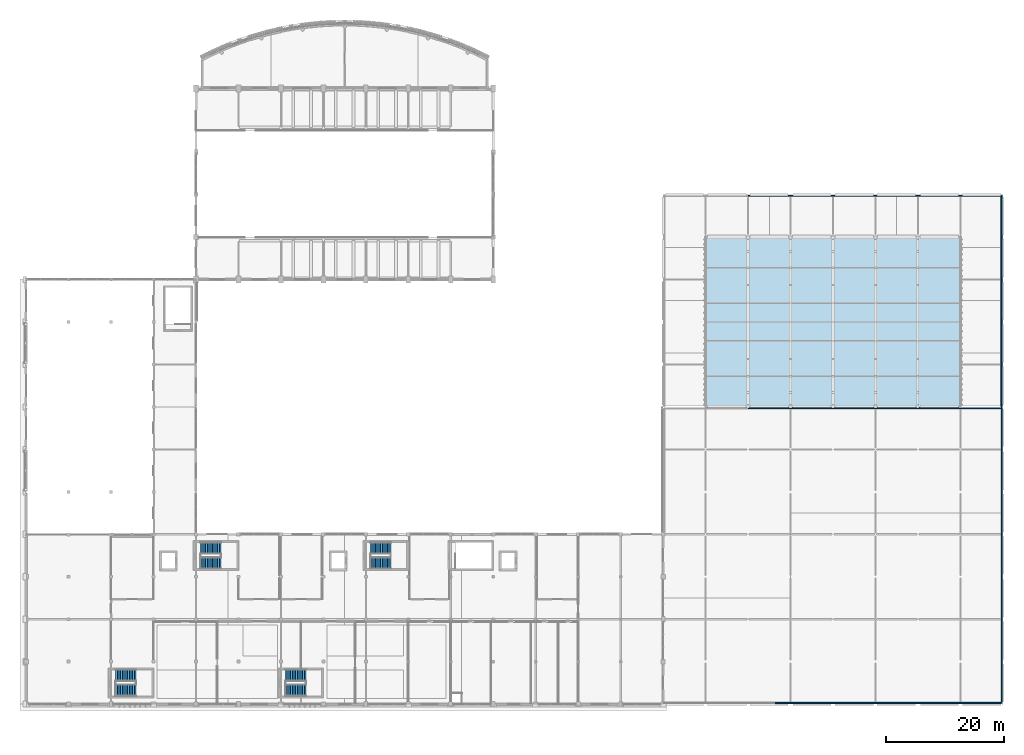
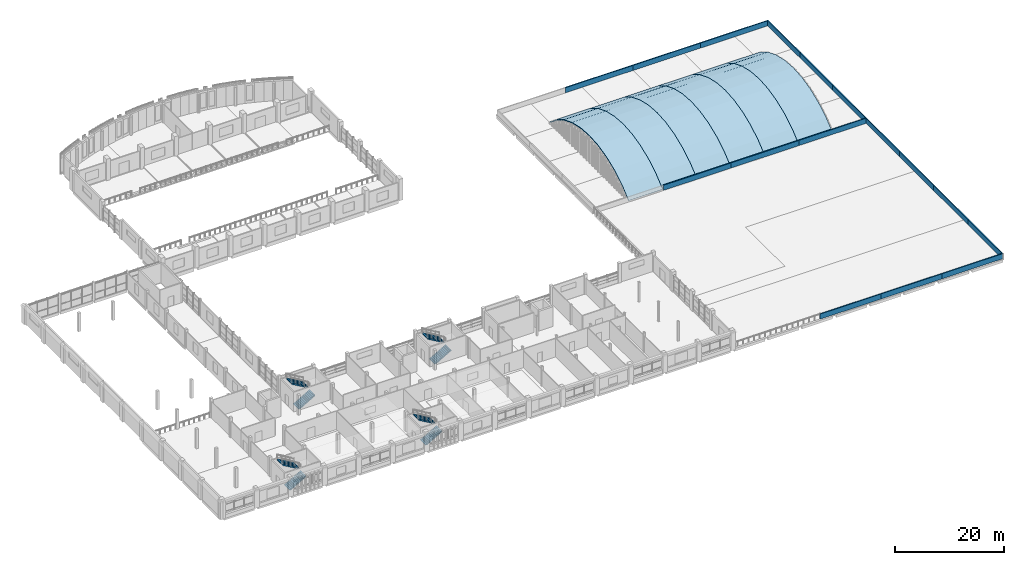
# One storey, part 54 of 71: 16 walls, 8 stair flights, 6 roofs, 4 elements without a shape of their own.
"""IFC4 building model written with IfcOpenShell, lengths in metres."""

from ifc_helpers import new_model, si_unit, direction, frame, frame_2d, origin, place, context, subcontext, project, spatial, polyline, rectangle, outline, extrude, material, layer, layer_set, type_object, element, aggregate, save


model = new_model("IFC4")

# Units and contexts
model_context = context("Model", 3, precision=1e-05, world=origin(), true_north=direction((0.0, 1.0)))
body_context = subcontext(model_context, "Body", "Model", "MODEL_VIEW")
ifc_project = project(units=[si_unit("LENGTHUNIT", "METRE"), si_unit("AREAUNIT", "SQUARE_METRE"), si_unit("VOLUMEUNIT", "CUBIC_METRE"), si_unit("PLANEANGLEUNIT", "RADIAN"), si_unit("MASSUNIT", "GRAM", prefix="KILO")], contexts=[model_context])

# Site, building, storey
site_placement = place(None, origin())
site = spatial("IfcSite", under=ifc_project, at=site_placement, CompositionType="ELEMENT")
building_placement = place(site_placement, origin())
building = spatial("IfcBuilding", under=site, at=building_placement, Name="Sardonyx Promenade Sports Hall", CompositionType="ELEMENT")
storey_placement = place(building_placement, frame((0.0, 0.0, 16.0)))
storey = spatial("IfcBuildingStorey", under=building, at=storey_placement, Name="L03", CompositionType="ELEMENT", Elevation=16.0)

# Walls
ifc_material_1 = material(Name="Masonry sandstone coping", Category="masonry")
ifc_layer_1 = layer(ifc_material_1, 0.199951171875)
ifc_layer_set_1 = layer_set([ifc_layer_1], Name="Wall_Parapet_Garden_200")
wall_type_1 = type_object("IfcWallType", Name="Wall_Parapet_Garden_200", PredefinedType="PARAPET", material=ifc_layer_set_1)
for number, where, z_axis, x_axis, name in (
    (1, (126.75, 0.199951171875, 0.0), (0.0, 0.0, 1.0), (1.0, 0.0, 0.0), "Roof parapet PP03 L03 #18"),
    (2, (139.63330078125, 0.199951171875, 0.0), (0.0, 0.0, 1.0), (1.0, 0.0, 0.0), "Roof parapet PP03 L03 #19"),
    (3, (152.5166015625, 0.199951171875, 0.0), (0.0, 0.0, 1.0), (1.0, 0.0, 0.0), "Roof parapet PP03 L03 #20"),
):
    element("IfcWall", number, at=place(storey_placement, frame(where, z_axis=z_axis, x_axis=x_axis)), inside=storey, type_object=wall_type_1, Name=name, PredefinedType="PARAPET", context=body_context, shape_type="SweptSolid", body=[
        extrude(rectangle(XDim=12.88330078125, YDim=0.199951171875, at=frame_2d((6.441650390625, 0.0))), origin(), (0.0, 0.0, 1.0), 1.14990234375),
    ])
for number, where, z_axis, x_axis, name in (
    (4, (165.39990234375, 0.199951171875, 0.0), (0.0, 0.0, 1.0), (0.0, 1.0, 0.0), "Roof parapet PP03 L03 #21"),
    (5, (165.39990234375, 12.75, 0.0), (0.0, 0.0, 1.0), (0.0, 1.0, 0.0), "Roof parapet PP03 L03 #22"),
    (6, (165.39990234375, 25.300048828125, 0.0), (0.0, 0.0, 1.0), (0.0, 1.0, 0.0), "Roof parapet PP03 L03 #23"),
):
    element("IfcWall", number, at=place(storey_placement, frame(where, z_axis=z_axis, x_axis=x_axis)), inside=storey, type_object=wall_type_1, Name=name, PredefinedType="PARAPET", context=body_context, shape_type="SweptSolid", body=[
        extrude(rectangle(XDim=12.550048828125, YDim=0.199951171875, at=frame_2d((6.27490234375, 0.0))), origin(), (0.0, 0.0, 1.0), 1.14990234375),
    ])
wall_placement = place(storey_placement, frame((165.39990234375, 37.85009765625, 0.0), z_axis=(0.0, 0.0, 1.0), x_axis=(0.0, 1.0, 0.0)))
element("IfcWall", 7, at=wall_placement, inside=storey, type_object=wall_type_1, Name="Roof parapet PP03 L03 #24", PredefinedType="PARAPET", context=body_context, shape_type="SweptSolid", body=[
    extrude(rectangle(XDim=12.5498046875, YDim=0.199951171875, at=frame_2d((6.27490234375, 0.0))), origin(), (0.0, 0.0, 1.0), 1.14990234375),
])
for number, where, z_axis, x_axis, name in (
    (8, (165.39990234375, 50.199951171875, 0.0), (0.0, 0.0, 1.0), (-1.0, 0.0, 0.0), "Roof parapet PP03 L03 #25"),
    (9, (151.08740234375, 50.199951171875, 0.0), (0.0, 0.0, 1.0), (-1.0, 0.0, 0.0), "Roof parapet PP03 L03 #26"),
    (10, (136.77490234375, 50.199951171875, 0.0), (0.0, 0.0, 1.0), (-1.0, 0.0, 0.0), "Roof parapet PP03 L03 #27"),
):
    element("IfcWall", number, at=place(storey_placement, frame(where, z_axis=z_axis, x_axis=x_axis)), inside=storey, type_object=wall_type_1, Name=name, PredefinedType="PARAPET", context=body_context, shape_type="SweptSolid", body=[
        extrude(rectangle(XDim=14.3125, YDim=0.199951171875, at=frame_2d((7.15625, 0.0))), origin(), (0.0, 0.0, 1.0), 1.14990234375),
    ])
ifc_material_2 = material(Name="Concrete C40/50", Category="concrete")
ifc_layer_2 = layer(ifc_material_2, 0.219970703125)
ifc_layer_set_2 = layer_set([ifc_layer_2], Name="Wall_Parapet_Roof_220")
wall_type_2 = type_object("IfcWallType", Name="Wall_Parapet_Roof_220", PredefinedType="PARAPET", material=ifc_layer_set_2)
for number, where, z_axis, x_axis, name in (
    (11, (122.46240234375, 86.199951171875, 0.0), (0.0, 0.0, 1.0), (1.0, 0.0, 0.0), "Roof parapet PP02 L03 #35"),
    (12, (136.77490234375, 86.199951171875, 0.0), (0.0, 0.0, 1.0), (1.0, 0.0, 0.0), "Roof parapet PP02 L03 #36"),
    (13, (151.08740234375, 86.199951171875, 0.0), (0.0, 0.0, 1.0), (1.0, 0.0, 0.0), "Roof parapet PP02 L03 #37"),
):
    element("IfcWall", number, at=place(storey_placement, frame(where, z_axis=z_axis, x_axis=x_axis)), inside=storey, type_object=wall_type_2, Name=name, PredefinedType="PARAPET", context=body_context, shape_type="SweptSolid", body=[
        extrude(rectangle(XDim=14.3125, YDim=0.219970703125, at=frame_2d((7.15625, 0.0))), origin(), (0.0, 0.0, 1.0), 1.14990234375),
    ])
for number, where, z_axis, x_axis, name in (
    (14, (165.39990234375, 50.39990234375, 0.0), (0.0, 0.0, 1.0), (0.0, 1.0, 0.0), "Roof parapet PP02 L03 #38"),
    (15, (165.39990234375, 62.333251953125, 0.0), (0.0, 0.0, 1.0), (0.0, 1.0, 0.0), "Roof parapet PP02 L03 #39"),
    (16, (165.39990234375, 74.2666015625, 0.0), (0.0, 0.0, 1.0), (0.0, 1.0, 0.0), "Roof parapet PP02 L03 #40"),
):
    element("IfcWall", number, at=place(storey_placement, frame(where, z_axis=z_axis, x_axis=x_axis)), inside=storey, type_object=wall_type_2, Name=name, PredefinedType="PARAPET", context=body_context, shape_type="SweptSolid", body=[
        extrude(rectangle(XDim=11.933349609375, YDim=0.219970703125, at=frame_2d((5.966796875, 0.0))), origin(), (0.0, 0.0, 1.0), 1.14990234375),
    ])

# Stair, stair flights
ifc_material_3 = material(Name="Concrete C40/50", Category="concrete")
stair_type = type_object("IfcStairType", Name="Stair_Esc_Top_440", PredefinedType="HALF_TURN_STAIR", material=ifc_material_3)
stair_1_placement = place(storey_placement, origin())
stair_1 = element("IfcStair", 17, at=stair_1_placement, inside=storey, type_object=stair_type, Name="Protected escape stair ST1 (L03 to L04)", PredefinedType="HALF_TURN_STAIR")
ifc_material_4 = material(Name="Concrete C40/50", Category="concrete")
stair_flight_type = type_object("IfcStairFlightType", Name="Flt_Esc_440", PredefinedType="STRAIGHT", material=ifc_material_4)
stair_flight_1_placement = place(storey_placement, frame((29.550048828125, 23.925048828125, 0.0), z_axis=(0.0, 0.0, 1.0), x_axis=(1.0, 0.0, 0.0)))
stair_flight_1 = element("IfcStairFlight", 18, at=stair_flight_1_placement, type_object=stair_flight_type, Name="Stair ST1 L03 flight 1", NumberOfRisers=13, NumberOfTreads=12, PredefinedType="STRAIGHT", RiserHeight=0.169231, TreadLength=0.291667, context=body_context, shape_type="SweptSolid", body=[
    extrude(outline(polyline([(0.0, 0.0), (0.0, 0.169189453125), (0.291748046875, 0.169189453125), (0.291748046875, 0.33837890625), (0.583251953125, 0.33837890625), (0.583251953125, 0.5078125), (0.875, 0.5078125), (0.875, 0.677001953125), (1.166748046875, 0.677001953125), (1.166748046875, 0.84619140625), (1.458251953125, 0.84619140625), (1.458251953125, 1.015380859375), (1.75, 1.015380859375), (1.75, 1.1845703125), (2.041748046875, 1.1845703125), (2.041748046875, 1.353759765625), (2.333251953125, 1.353759765625), (2.333251953125, 1.523193359375), (2.625, 1.523193359375), (2.625, 1.6923828125), (2.916748046875, 1.6923828125), (2.916748046875, 1.861572265625), (3.208251953125, 1.861572265625), (3.208251953125, 2.03076171875), (3.5, 2.03076171875), (3.5, 2.199951171875), (3.5, 1.82275390625), (0.358642578125, 0.0), (0.0, 0.0)])), frame((0.0, 1.0, 0.0), z_axis=(0.0, -1.0, 0.0), x_axis=(1.0, 0.0, 0.0)), (0.0, 0.0, 1.0), 2.0),
])
stair_flight_2_placement = place(storey_placement, frame((33.050048828125, 26.47509765625, 2.199951171875), z_axis=(0.0, 0.0, 1.0), x_axis=(-1.0, 0.0, 0.0)))
stair_flight_2 = element("IfcStairFlight", 19, at=stair_flight_2_placement, type_object=stair_flight_type, Name="Stair ST1 L03 flight 2", NumberOfRisers=13, NumberOfTreads=12, PredefinedType="STRAIGHT", RiserHeight=0.169231, TreadLength=0.291667, context=body_context, shape_type="SweptSolid", body=[
    extrude(outline(polyline([(0.0, 0.0), (0.0, 0.169189453125), (0.291748046875, 0.169189453125), (0.291748046875, 0.33837890625), (0.583251953125, 0.33837890625), (0.583251953125, 0.5078125), (0.875, 0.5078125), (0.875, 0.677001953125), (1.166748046875, 0.677001953125), (1.166748046875, 0.84619140625), (1.458251953125, 0.84619140625), (1.458251953125, 1.015380859375), (1.75, 1.015380859375), (1.75, 1.1845703125), (2.041748046875, 1.1845703125), (2.041748046875, 1.353759765625), (2.333251953125, 1.353759765625), (2.333251953125, 1.523193359375), (2.625, 1.523193359375), (2.625, 1.6923828125), (2.916748046875, 1.6923828125), (2.916748046875, 1.861572265625), (3.208251953125, 1.861572265625), (3.208251953125, 2.03076171875), (3.5, 2.03076171875), (3.5, 2.199951171875), (3.5, 1.82275390625), (0.358642578125, 0.0), (0.0, 0.0)])), frame((0.0, 1.0, 0.0), z_axis=(0.0, -1.0, 0.0), x_axis=(1.0, 0.0, 0.0)), (0.0, 0.0, 1.0), 2.0),
])
aggregate(stair_1, [stair_flight_1, stair_flight_2])

stair_2_placement = place(storey_placement, origin())
stair_2 = element("IfcStair", 20, at=stair_2_placement, inside=storey, type_object=stair_type, Name="Protected escape stair ST3 (L03 to L04)", PredefinedType="HALF_TURN_STAIR")
stair_flight_3_placement = place(storey_placement, frame((58.35009765625, 23.925048828125, 0.0), z_axis=(0.0, 0.0, 1.0), x_axis=(1.0, 0.0, 0.0)))
stair_flight_3 = element("IfcStairFlight", 21, at=stair_flight_3_placement, type_object=stair_flight_type, Name="Stair ST3 L03 flight 1", NumberOfRisers=13, NumberOfTreads=12, PredefinedType="STRAIGHT", RiserHeight=0.169231, TreadLength=0.291667, context=body_context, shape_type="SweptSolid", body=[
    extrude(outline(polyline([(0.0, 0.0), (0.0, 0.169189453125), (0.291748046875, 0.169189453125), (0.291748046875, 0.33837890625), (0.583251953125, 0.33837890625), (0.583251953125, 0.5078125), (0.875, 0.5078125), (0.875, 0.677001953125), (1.166748046875, 0.677001953125), (1.166748046875, 0.84619140625), (1.458251953125, 0.84619140625), (1.458251953125, 1.015380859375), (1.75, 1.015380859375), (1.75, 1.1845703125), (2.041748046875, 1.1845703125), (2.041748046875, 1.353759765625), (2.333251953125, 1.353759765625), (2.333251953125, 1.523193359375), (2.625, 1.523193359375), (2.625, 1.6923828125), (2.916748046875, 1.6923828125), (2.916748046875, 1.861572265625), (3.208251953125, 1.861572265625), (3.208251953125, 2.03076171875), (3.5, 2.03076171875), (3.5, 2.199951171875), (3.5, 1.82275390625), (0.358642578125, 0.0), (0.0, 0.0)])), frame((0.0, 1.0, 0.0), z_axis=(0.0, -1.0, 0.0), x_axis=(1.0, 0.0, 0.0)), (0.0, 0.0, 1.0), 2.0),
])
stair_flight_4_placement = place(storey_placement, frame((61.85009765625, 26.47509765625, 2.199951171875), z_axis=(0.0, 0.0, 1.0), x_axis=(-1.0, 0.0, 0.0)))
stair_flight_4 = element("IfcStairFlight", 22, at=stair_flight_4_placement, type_object=stair_flight_type, Name="Stair ST3 L03 flight 2", NumberOfRisers=13, NumberOfTreads=12, PredefinedType="STRAIGHT", RiserHeight=0.169231, TreadLength=0.291667, context=body_context, shape_type="SweptSolid", body=[
    extrude(outline(polyline([(0.0, 0.0), (0.0, 0.169189453125), (0.291748046875, 0.169189453125), (0.291748046875, 0.33837890625), (0.583251953125, 0.33837890625), (0.583251953125, 0.5078125), (0.875, 0.5078125), (0.875, 0.677001953125), (1.166748046875, 0.677001953125), (1.166748046875, 0.84619140625), (1.458251953125, 0.84619140625), (1.458251953125, 1.015380859375), (1.75, 1.015380859375), (1.75, 1.1845703125), (2.041748046875, 1.1845703125), (2.041748046875, 1.353759765625), (2.333251953125, 1.353759765625), (2.333251953125, 1.523193359375), (2.625, 1.523193359375), (2.625, 1.6923828125), (2.916748046875, 1.6923828125), (2.916748046875, 1.861572265625), (3.208251953125, 1.861572265625), (3.208251953125, 2.03076171875), (3.5, 2.03076171875), (3.5, 2.199951171875), (3.5, 1.82275390625), (0.358642578125, 0.0), (0.0, 0.0)])), frame((0.0, 1.0, 0.0), z_axis=(0.0, -1.0, 0.0), x_axis=(1.0, 0.0, 0.0)), (0.0, 0.0, 1.0), 2.0),
])
aggregate(stair_2, [stair_flight_3, stair_flight_4])

stair_3_placement = place(storey_placement, origin())
stair_3 = element("IfcStair", 23, at=stair_3_placement, inside=storey, type_object=stair_type, Name="Protected escape stair ST5 (L03 to L04)", PredefinedType="HALF_TURN_STAIR")
stair_flight_5_placement = place(storey_placement, frame((15.14990234375, 2.324951171875, 0.0), z_axis=(0.0, 0.0, 1.0), x_axis=(1.0, 0.0, 0.0)))
stair_flight_5 = element("IfcStairFlight", 24, at=stair_flight_5_placement, type_object=stair_flight_type, Name="Stair ST5 L03 flight 1", NumberOfRisers=13, NumberOfTreads=12, PredefinedType="STRAIGHT", RiserHeight=0.169231, TreadLength=0.291667, context=body_context, shape_type="SweptSolid", body=[
    extrude(outline(polyline([(0.0, 0.0), (0.0, 0.169189453125), (0.291748046875, 0.169189453125), (0.291748046875, 0.33837890625), (0.583251953125, 0.33837890625), (0.583251953125, 0.5078125), (0.875, 0.5078125), (0.875, 0.677001953125), (1.166748046875, 0.677001953125), (1.166748046875, 0.84619140625), (1.458251953125, 0.84619140625), (1.458251953125, 1.015380859375), (1.75, 1.015380859375), (1.75, 1.1845703125), (2.041748046875, 1.1845703125), (2.041748046875, 1.353759765625), (2.333251953125, 1.353759765625), (2.333251953125, 1.523193359375), (2.625, 1.523193359375), (2.625, 1.6923828125), (2.916748046875, 1.6923828125), (2.916748046875, 1.861572265625), (3.208251953125, 1.861572265625), (3.208251953125, 2.03076171875), (3.5, 2.03076171875), (3.5, 2.199951171875), (3.5, 1.82275390625), (0.358642578125, 0.0), (0.0, 0.0)])), frame((0.0, 1.0, 0.0), z_axis=(0.0, -1.0, 0.0), x_axis=(1.0, 0.0, 0.0)), (0.0, 0.0, 1.0), 2.0),
])
stair_flight_6_placement = place(storey_placement, frame((18.64990234375, 4.875, 2.199951171875), z_axis=(0.0, 0.0, 1.0), x_axis=(-1.0, 0.0, 0.0)))
stair_flight_6 = element("IfcStairFlight", 25, at=stair_flight_6_placement, type_object=stair_flight_type, Name="Stair ST5 L03 flight 2", NumberOfRisers=13, NumberOfTreads=12, PredefinedType="STRAIGHT", RiserHeight=0.169231, TreadLength=0.291667, context=body_context, shape_type="SweptSolid", body=[
    extrude(outline(polyline([(0.0, 0.0), (0.0, 0.169189453125), (0.291748046875, 0.169189453125), (0.291748046875, 0.33837890625), (0.583251953125, 0.33837890625), (0.583251953125, 0.5078125), (0.875, 0.5078125), (0.875, 0.677001953125), (1.166748046875, 0.677001953125), (1.166748046875, 0.84619140625), (1.458251953125, 0.84619140625), (1.458251953125, 1.015380859375), (1.75, 1.015380859375), (1.75, 1.1845703125), (2.041748046875, 1.1845703125), (2.041748046875, 1.353759765625), (2.333251953125, 1.353759765625), (2.333251953125, 1.523193359375), (2.625, 1.523193359375), (2.625, 1.6923828125), (2.916748046875, 1.6923828125), (2.916748046875, 1.861572265625), (3.208251953125, 1.861572265625), (3.208251953125, 2.03076171875), (3.5, 2.03076171875), (3.5, 2.199951171875), (3.5, 1.82275390625), (0.358642578125, 0.0), (0.0, 0.0)])), frame((0.0, 1.0, 0.0), z_axis=(0.0, -1.0, 0.0), x_axis=(1.0, 0.0, 0.0)), (0.0, 0.0, 1.0), 2.0),
])
aggregate(stair_3, [stair_flight_5, stair_flight_6])

stair_4_placement = place(storey_placement, origin())
stair_4 = element("IfcStair", 26, at=stair_4_placement, inside=storey, type_object=stair_type, Name="Protected escape stair ST6 (L03 to L04)", PredefinedType="HALF_TURN_STAIR")
stair_flight_7_placement = place(storey_placement, frame((43.949951171875, 2.324951171875, 0.0), z_axis=(0.0, 0.0, 1.0), x_axis=(1.0, 0.0, 0.0)))
stair_flight_7 = element("IfcStairFlight", 27, at=stair_flight_7_placement, type_object=stair_flight_type, Name="Stair ST6 L03 flight 1", NumberOfRisers=13, NumberOfTreads=12, PredefinedType="STRAIGHT", RiserHeight=0.169231, TreadLength=0.291667, context=body_context, shape_type="SweptSolid", body=[
    extrude(outline(polyline([(0.0, 0.0), (0.0, 0.169189453125), (0.291748046875, 0.169189453125), (0.291748046875, 0.33837890625), (0.583251953125, 0.33837890625), (0.583251953125, 0.5078125), (0.875, 0.5078125), (0.875, 0.677001953125), (1.166748046875, 0.677001953125), (1.166748046875, 0.84619140625), (1.458251953125, 0.84619140625), (1.458251953125, 1.015380859375), (1.75, 1.015380859375), (1.75, 1.1845703125), (2.041748046875, 1.1845703125), (2.041748046875, 1.353759765625), (2.333251953125, 1.353759765625), (2.333251953125, 1.523193359375), (2.625, 1.523193359375), (2.625, 1.6923828125), (2.916748046875, 1.6923828125), (2.916748046875, 1.861572265625), (3.208251953125, 1.861572265625), (3.208251953125, 2.03076171875), (3.5, 2.03076171875), (3.5, 2.199951171875), (3.5, 1.82275390625), (0.358642578125, 0.0), (0.0, 0.0)])), frame((0.0, 1.0, 0.0), z_axis=(0.0, -1.0, 0.0), x_axis=(1.0, 0.0, 0.0)), (0.0, 0.0, 1.0), 2.0),
])
stair_flight_8_placement = place(storey_placement, frame((47.449951171875, 4.875, 2.199951171875), z_axis=(0.0, 0.0, 1.0), x_axis=(-1.0, 0.0, 0.0)))
stair_flight_8 = element("IfcStairFlight", 28, at=stair_flight_8_placement, type_object=stair_flight_type, Name="Stair ST6 L03 flight 2", NumberOfRisers=13, NumberOfTreads=12, PredefinedType="STRAIGHT", RiserHeight=0.169231, TreadLength=0.291667, context=body_context, shape_type="SweptSolid", body=[
    extrude(outline(polyline([(0.0, 0.0), (0.0, 0.169189453125), (0.291748046875, 0.169189453125), (0.291748046875, 0.33837890625), (0.583251953125, 0.33837890625), (0.583251953125, 0.5078125), (0.875, 0.5078125), (0.875, 0.677001953125), (1.166748046875, 0.677001953125), (1.166748046875, 0.84619140625), (1.458251953125, 0.84619140625), (1.458251953125, 1.015380859375), (1.75, 1.015380859375), (1.75, 1.1845703125), (2.041748046875, 1.1845703125), (2.041748046875, 1.353759765625), (2.333251953125, 1.353759765625), (2.333251953125, 1.523193359375), (2.625, 1.523193359375), (2.625, 1.6923828125), (2.916748046875, 1.6923828125), (2.916748046875, 1.861572265625), (3.208251953125, 1.861572265625), (3.208251953125, 2.03076171875), (3.5, 2.03076171875), (3.5, 2.199951171875), (3.5, 1.82275390625), (0.358642578125, 0.0), (0.0, 0.0)])), frame((0.0, 1.0, 0.0), z_axis=(0.0, -1.0, 0.0), x_axis=(1.0, 0.0, 0.0)), (0.0, 0.0, 1.0), 2.0),
])
aggregate(stair_4, [stair_flight_7, stair_flight_8])

# Roofs
ifc_material_5 = material(Name="Concrete C40/50", Category="concrete")
roof_type = type_object("IfcRoofType", Name="Roof_Barrel_Prac_200", PredefinedType="BARREL_ROOF", material=ifc_material_5)
for number, where, z_axis, x_axis, name in (
    (29, (115.2, 64.8, 0.0), (1.0, 0.0, 0.0), (0.0, 1.0, 0.0), "Exposed concrete barrel-vault shell BV02 bay 1"),
    (30, (122.4, 64.8, 0.0), (1.0, 0.0, 0.0), (0.0, 1.0, 0.0), "Exposed concrete barrel-vault shell BV02 bay 2"),
    (31, (129.6, 64.8, 0.0), (1.0, 0.0, 0.0), (0.0, 1.0, 0.0), "Exposed concrete barrel-vault shell BV02 bay 3"),
    (32, (136.8, 64.8, 0.0), (1.0, 0.0, 0.0), (0.0, 1.0, 0.0), "Exposed concrete barrel-vault shell BV02 bay 4"),
    (33, (144.0, 64.8, 0.0), (1.0, 0.0, 0.0), (0.0, 1.0, 0.0), "Exposed concrete barrel-vault shell BV02 bay 5"),
    (34, (151.2, 64.8, 0.0), (1.0, 0.0, 0.0), (0.0, 1.0, 0.0), "Exposed concrete barrel-vault shell BV02 bay 6"),
):
    element("IfcRoof", number, at=place(storey_placement, frame(where, z_axis=z_axis, x_axis=x_axis)), inside=storey, type_object=roof_type, material=ifc_material_5, Name=name, PredefinedType="BARREL_ROOF", context=body_context, shape_type="SweptSolid", body=[
        extrude(outline(polyline([(-14.4, 0.0), (-11.946695, 2.021577), (-9.213694, 3.645209), (-6.264982, 4.832885), (-3.169594, 5.556798), (0.0, 5.8), (3.169594, 5.556798), (6.264982, 4.832885), (9.213694, 3.645209), (11.946695, 2.021577), (14.4, 0.0), (14.527187, 0.154349), (12.061701, 2.185204), (9.30239, 3.824466), (6.325292, 5.023575), (3.200106, 5.754457), (0.0, 6.0), (-3.200106, 5.754457), (-6.325292, 5.023575), (-9.30239, 3.824466), (-12.061701, 2.185204), (-14.527187, 0.154349), (-14.4, 0.0)])), origin(), (0.0, 0.0, 1.0), 7.2),
    ])

save(model, "model.ifc")
